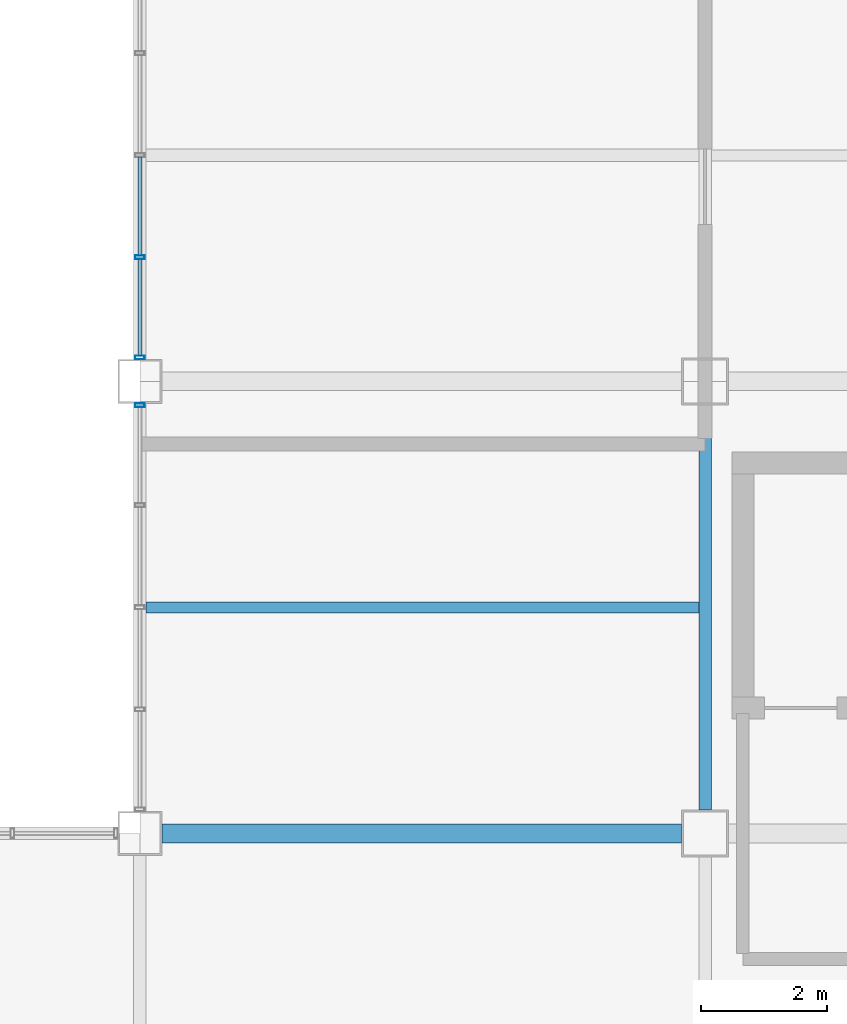
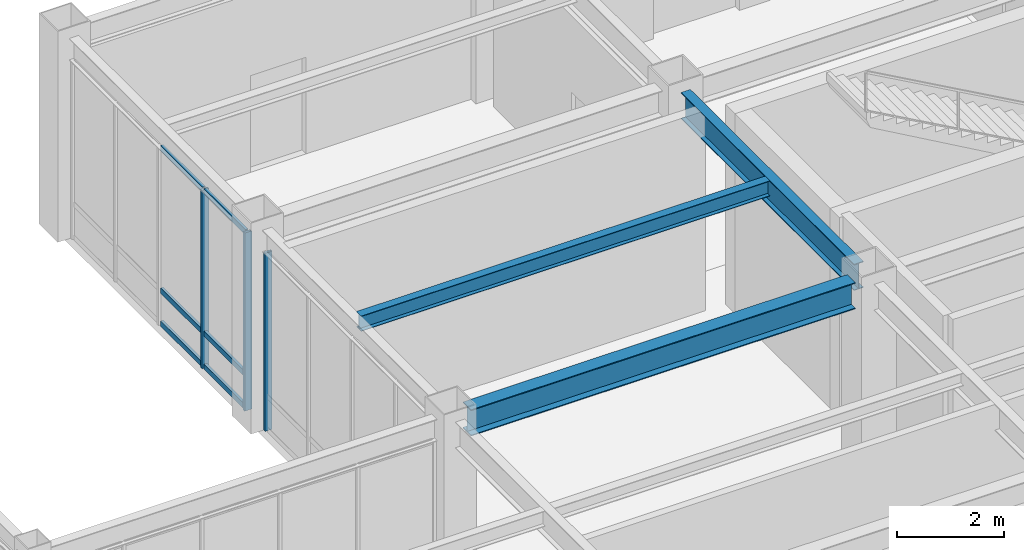
# One storey, part 69 of 112: 9 members, 3 beams, 2 elements without a shape of their own.
"""IFC4 building model written with IfcOpenShell, lengths in metres."""

from ifc_helpers import new_model, si_unit, direction, frame, origin, origin_2d, place, context, subcontext, project, spatial, hollow_rectangle, i_section, extrude, material, material_profile, profile_set, type_object, element, aggregate, save


model = new_model("IFC4")

# Units and contexts
model_context = context("Model", 3, precision=1e-05, world=origin(), true_north=direction((0.0, 1.0)))
body_context = subcontext(model_context, "Body", "Model", "MODEL_VIEW")
ifc_project = project(units=[si_unit("LENGTHUNIT", "METRE"), si_unit("AREAUNIT", "SQUARE_METRE"), si_unit("VOLUMEUNIT", "CUBIC_METRE"), si_unit("PLANEANGLEUNIT", "RADIAN"), si_unit("MASSUNIT", "GRAM", prefix="KILO")], contexts=[model_context])

# Site, building, storey
site_placement = place(None, origin())
site = spatial("IfcSite", under=ifc_project, at=site_placement, CompositionType="ELEMENT")
building_placement = place(site_placement, origin())
building = spatial("IfcBuilding", under=site, at=building_placement, Name="Kazanami Central Library", CompositionType="ELEMENT")
storey_placement = place(building_placement, origin())
storey = spatial("IfcBuildingStorey", under=building, at=storey_placement, Name="L01", CompositionType="ELEMENT", Elevation=0.0)

# Beams
ifc_material_1 = material(Name="Steel SN400B (235 MPa)", Category="steel")
ifc_material_profile_1 = material_profile(ifc_material_1, i_section(OverallWidth=0.175048828125, OverallDepth=0.35009765625, WebThickness=0.007080078125, FlangeThickness=0.010986328125, at=origin_2d()), Name="H-350x175x7x11")
ifc_profile_set_1 = profile_set([ifc_material_profile_1], Name="Steel SN400B (235 MPa)")
beam_type_1 = type_object("IfcBeamType", Name="BM-B-S2", PredefinedType="JOIST", material=ifc_profile_set_1)
beam_1_placement = place(storey_placement, frame((117.097900390625, 82.800048828125, 4.3798828125), z_axis=(1.0, 0.0, 0.0), x_axis=(0.0, 1.0, 0.0)))
element("IfcBeam", 1, at=beam_1_placement, inside=storey, type_object=beam_type_1, Name="Composite Secondary Joist B-S2 L01 Bay 14/M.1", PredefinedType="JOIST", context=body_context, shape_type="SweptSolid", body=[
    extrude(i_section(OverallWidth=0.175048828125, OverallDepth=0.35009765625, WebThickness=0.007080078125, FlangeThickness=0.010986328125, at=origin_2d()), origin(), (0.0, 0.0, 1.0), 8.80419921875),
])
ifc_material_2 = material(Name="Steel SN490B (325 MPa)", Category="steel")
ifc_material_profile_2 = material_profile(ifc_material_2, i_section(OverallWidth=0.300048828125, OverallDepth=0.60009765625, WebThickness=0.011962890625, FlangeThickness=0.02001953125, at=origin_2d()), Name="H-600x300x12x20")
ifc_profile_set_2 = profile_set([ifc_material_profile_2], Name="Steel SN490B (325 MPa)")
beam_type_2 = type_object("IfcBeamType", Name="BM-G-X1", PredefinedType="BEAM", material=ifc_profile_set_2)
beam_2_placement = place(storey_placement, frame((117.347900390625, 79.199951171875, 4.2548828125), z_axis=(1.0, 0.0, 0.0), x_axis=(0.0, 1.0, 0.0)))
element("IfcBeam", 2, at=beam_2_placement, inside=storey, type_object=beam_type_2, Name="Girder G-X1 L01 M/14-15", PredefinedType="BEAM", context=body_context, shape_type="SweptSolid", body=[
    extrude(i_section(OverallWidth=0.300048828125, OverallDepth=0.60009765625, WebThickness=0.011962890625, FlangeThickness=0.02001953125, at=origin_2d()), origin(), (0.0, 0.0, 1.0), 8.279052734375),
])
ifc_material_profile_3 = material_profile(ifc_material_2, i_section(OverallWidth=0.199951171875, OverallDepth=0.60009765625, WebThickness=0.010986328125, FlangeThickness=0.01708984375, at=origin_2d()), Name="H-600x200x11x17")
ifc_profile_set_3 = profile_set([ifc_material_profile_3], Name="Steel SN490B (325 MPa)")
beam_type_3 = type_object("IfcBeamType", Name="BM-G-Y1", PredefinedType="BEAM", material=ifc_profile_set_3)
beam_3_placement = place(storey_placement, frame((126.0, 79.572998046875, 4.2548828125), z_axis=(0.0, 1.0, 0.0), x_axis=(-1.0, 0.0, 0.0)))
element("IfcBeam", 3, at=beam_3_placement, inside=storey, type_object=beam_type_3, Name="Girder G-Y1 L01 15/M-N", PredefinedType="BEAM", context=body_context, shape_type="SweptSolid", body=[
    extrude(i_section(OverallWidth=0.199951171875, OverallDepth=0.60009765625, WebThickness=0.010986328125, FlangeThickness=0.01708984375, at=origin_2d()), origin(), (0.0, 0.0, 1.0), 6.4541015625),
])

# Curtain wall, member
ifc_material_3 = material(Name="Acid-Etched Low-E Laminated Glass", Category="glass")
curtain_wall_type = type_object("IfcCurtainWallType", Name="CW-6500x4055-M180", PredefinedType="USERDEFINED", material=ifc_material_3)
curtain_wall_1_placement = place(storey_placement, origin())
curtain_wall_1 = element("IfcCurtainWall", 4, at=curtain_wall_1_placement, inside=storey, type_object=curtain_wall_type, Name="Covered Link Bridge Curtain Wall CW-11 L01 W-14-11", ObjectType="UNITISED CURTAIN WALL", PredefinedType="USERDEFINED")
ifc_material_4 = material(Name="Anodised Aluminium A6063-T5", Category="aluminium")
ifc_material_profile_4 = material_profile(ifc_material_4, hollow_rectangle(XDim=0.06005859375, YDim=0.14990234375, WallThickness=0.00390625, at=origin_2d()), Name="ALU-MULL-60x150x4")
ifc_profile_set_4 = profile_set([ifc_material_profile_4], Name="Anodised Aluminium A6063-T5")
member_type_1 = type_object("IfcMemberType", Name="MEM-CW-M3", PredefinedType="MULLION", material=ifc_profile_set_4)
member_1_placement = place(storey_placement, frame((117.0, 86.02001953125, 0.0), z_axis=(0.0, 0.0, 1.0), x_axis=(0.0, 1.0, 0.0)))
member_1 = element("IfcMember", 5, at=member_1_placement, type_object=member_type_1, Name="CW-11 mullion 5", PredefinedType="MULLION", context=body_context, shape_type="SweptSolid", body=[
    extrude(hollow_rectangle(XDim=0.06005859375, YDim=0.14990234375, WallThickness=0.00390625, at=origin_2d()), origin(), (0.0, 0.0, 1.0), 4.054931640625),
])
aggregate(curtain_wall_1, [member_1])

# Curtain wall, members
curtain_wall_2_placement = place(storey_placement, origin())
curtain_wall_2 = element("IfcCurtainWall", 6, at=curtain_wall_2_placement, inside=storey, type_object=curtain_wall_type, Name="Covered Link Bridge Curtain Wall CW-11 L01 W-14-12", ObjectType="UNITISED CURTAIN WALL", PredefinedType="USERDEFINED")
member_2_placement = place(storey_placement, frame((117.0, 86.780029296875, 0.0), z_axis=(0.0, 0.0, 1.0), x_axis=(0.0, 1.0, 0.0)))
member_2 = element("IfcMember", 7, at=member_2_placement, type_object=member_type_1, Name="CW-11 mullion 1", PredefinedType="MULLION", context=body_context, shape_type="SweptSolid", body=[
    extrude(hollow_rectangle(XDim=0.06005859375, YDim=0.14990234375, WallThickness=0.00390625, at=origin_2d()), origin(), (0.0, 0.0, 1.0), 4.054931640625),
])
member_3_placement = place(storey_placement, frame((117.0, 88.375, 0.0), z_axis=(0.0, 0.0, 1.0), x_axis=(0.0, 1.0, 0.0)))
member_3 = element("IfcMember", 8, at=member_3_placement, type_object=member_type_1, Name="CW-11 mullion 2", PredefinedType="MULLION", context=body_context, shape_type="SweptSolid", body=[
    extrude(hollow_rectangle(XDim=0.06005859375, YDim=0.14990234375, WallThickness=0.00390625, at=origin_2d()), origin(), (0.0, 0.0, 1.0), 4.054931640625),
])
ifc_material_profile_5 = material_profile(ifc_material_4, hollow_rectangle(XDim=0.06005859375, YDim=0.1201171875, WallThickness=0.00341796875, at=origin_2d()), Name="ALU-TRAN-60x120x3.5")
ifc_profile_set_5 = profile_set([ifc_material_profile_5], Name="Anodised Aluminium A6063-T5")
member_type_2 = type_object("IfcMemberType", Name="MEM-CW-T3", PredefinedType="USERDEFINED", material=ifc_profile_set_5)
member_4_placement = place(storey_placement, frame((117.0, 86.81005859375, 0.030029296875), z_axis=(0.0, 1.0, 0.0), x_axis=(-1.0, 0.0, 0.0)))
member_4 = element("IfcMember", 9, at=member_4_placement, type_object=member_type_2, Name="CW-11 transom 1.1", ObjectType="TRANSOM", PredefinedType="USERDEFINED", context=body_context, shape_type="SweptSolid", body=[
    extrude(hollow_rectangle(XDim=0.06005859375, YDim=0.1201171875, WallThickness=0.00341796875, at=origin_2d()), origin(), (0.0, 0.0, 1.0), 1.534912109375),
])
member_5_placement = place(storey_placement, frame((117.0, 86.81005859375, 0.780029296875), z_axis=(0.0, 1.0, 0.0), x_axis=(-1.0, 0.0, 0.0)))
member_5 = element("IfcMember", 10, at=member_5_placement, type_object=member_type_2, Name="CW-11 transom 1.2", ObjectType="TRANSOM", PredefinedType="USERDEFINED", context=body_context, shape_type="SweptSolid", body=[
    extrude(hollow_rectangle(XDim=0.06005859375, YDim=0.1201171875, WallThickness=0.00341796875, at=origin_2d()), origin(), (0.0, 0.0, 1.0), 1.534912109375),
])
member_6_placement = place(storey_placement, frame((117.0, 86.81005859375, 4.02490234375), z_axis=(0.0, 1.0, 0.0), x_axis=(-1.0, 0.0, 0.0)))
member_6 = element("IfcMember", 11, at=member_6_placement, type_object=member_type_2, Name="CW-11 transom 1.3", ObjectType="TRANSOM", PredefinedType="USERDEFINED", context=body_context, shape_type="SweptSolid", body=[
    extrude(hollow_rectangle(XDim=0.06005859375, YDim=0.1201171875, WallThickness=0.00341796875, at=origin_2d()), origin(), (0.0, 0.0, 1.0), 1.534912109375),
])
member_7_placement = place(storey_placement, frame((117.0, 88.405029296875, 0.030029296875), z_axis=(0.0, 1.0, 0.0), x_axis=(-1.0, 0.0, 0.0)))
member_7 = element("IfcMember", 12, at=member_7_placement, type_object=member_type_2, Name="CW-11 transom 2.1", ObjectType="TRANSOM", PredefinedType="USERDEFINED", context=body_context, shape_type="SweptSolid", body=[
    extrude(hollow_rectangle(XDim=0.06005859375, YDim=0.1201171875, WallThickness=0.00341796875, at=origin_2d()), origin(), (0.0, 0.0, 1.0), 1.56494140625),
])
member_8_placement = place(storey_placement, frame((117.0, 88.405029296875, 0.780029296875), z_axis=(0.0, 1.0, 0.0), x_axis=(-1.0, 0.0, 0.0)))
member_8 = element("IfcMember", 13, at=member_8_placement, type_object=member_type_2, Name="CW-11 transom 2.2", ObjectType="TRANSOM", PredefinedType="USERDEFINED", context=body_context, shape_type="SweptSolid", body=[
    extrude(hollow_rectangle(XDim=0.06005859375, YDim=0.1201171875, WallThickness=0.00341796875, at=origin_2d()), origin(), (0.0, 0.0, 1.0), 1.56494140625),
])
member_9_placement = place(storey_placement, frame((117.0, 88.405029296875, 4.02490234375), z_axis=(0.0, 1.0, 0.0), x_axis=(-1.0, 0.0, 0.0)))
member_9 = element("IfcMember", 14, at=member_9_placement, type_object=member_type_2, Name="CW-11 transom 2.3", ObjectType="TRANSOM", PredefinedType="USERDEFINED", context=body_context, shape_type="SweptSolid", body=[
    extrude(hollow_rectangle(XDim=0.06005859375, YDim=0.1201171875, WallThickness=0.00341796875, at=origin_2d()), origin(), (0.0, 0.0, 1.0), 1.56494140625),
])
aggregate(curtain_wall_2, [member_2, member_3, member_4, member_5, member_6, member_7, member_8, member_9])

save(model, "model.ifc")
